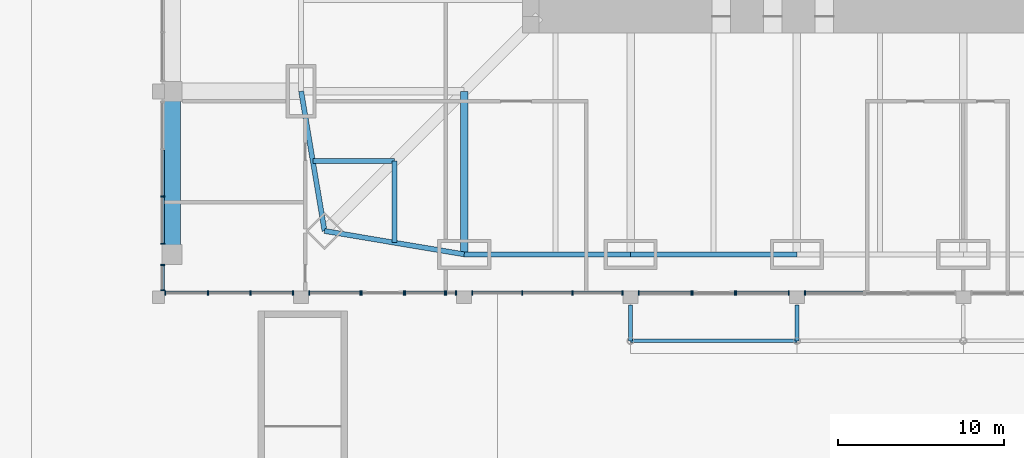
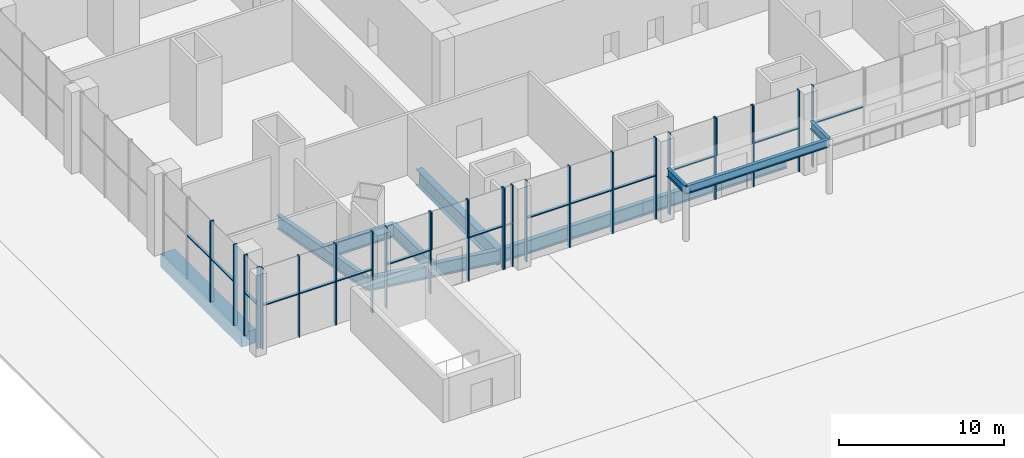
# One storey, part 6 of 31: 41 members, 11 beams, 12 elements without a shape of their own.
"""IFC4 building model written with IfcOpenShell, lengths in metres."""

from ifc_helpers import new_model, si_unit, direction, frame, origin, origin_2d, place, context, subcontext, project, spatial, rectangle, i_section, extrude, material, material_profile, profile_set, type_object, element, aggregate, save


model = new_model("IFC4")

# Units and contexts
model_context = context("Model", 3, precision=1e-05, world=origin(), true_north=direction((0.0, 1.0)))
body_context = subcontext(model_context, "Body", "Model", "MODEL_VIEW")
ifc_project = project(units=[si_unit("LENGTHUNIT", "METRE"), si_unit("AREAUNIT", "SQUARE_METRE"), si_unit("VOLUMEUNIT", "CUBIC_METRE"), si_unit("PLANEANGLEUNIT", "RADIAN"), si_unit("MASSUNIT", "GRAM", prefix="KILO")], contexts=[model_context])

# Site, building, storey
site_placement = place(None, origin())
site = spatial("IfcSite", under=ifc_project, at=site_placement, CompositionType="ELEMENT")
building_placement = place(site_placement, origin())
building = spatial("IfcBuilding", under=site, at=building_placement, Name="Khuree Lantern Residences", CompositionType="ELEMENT")
storey_placement = place(building_placement, origin())
storey = spatial("IfcBuildingStorey", under=building, at=storey_placement, Name="L00", CompositionType="ELEMENT", Elevation=0.0)

# Beams
ifc_material_1 = material(Name="Steel S355", Category="steel")
ifc_material_profile_1 = material_profile(ifc_material_1, i_section(OverallWidth=0.300048828125, OverallDepth=1.0, WebThickness=0.01904296875, FlangeThickness=0.035888671875, FilletRadius=0.030029296875, at=origin_2d()), Name="HE 1000 B")
ifc_profile_set_1 = profile_set([ifc_material_profile_1], Name="Steel S355")
beam_type_1 = type_object("IfcBeamType", Name="B-00 SECONDARY BEAM HE 1000 B", PredefinedType="BEAM", material=ifc_profile_set_1)
for number, where, z_axis, x_axis, name in (
    (1, (-24.197021484375, -29.09716796875, -0.800048828125), (0.0, 1.0, 0.0), (-1.0, 0.0, 0.0), "Secondary beam S6"),
    (2, (-29.09716796875, -24.197021484375, -0.800048828125), (1.0, 0.0, 0.0), (0.0, 1.0, 0.0), "Secondary beam W1"),
):
    element("IfcBeam", number, at=place(storey_placement, frame(where, z_axis=z_axis, x_axis=x_axis)), inside=storey, type_object=beam_type_1, Name=name, PredefinedType="BEAM", context=body_context, shape_type="SweptSolid", body=[
        extrude(i_section(OverallWidth=0.300048828125, OverallDepth=1.0, WebThickness=0.01904296875, FlangeThickness=0.035888671875, FilletRadius=0.030029296875, at=origin_2d()), origin(), (0.0, 0.0, 1.0), 4.900146484375),
    ])
ifc_material_profile_2 = material_profile(ifc_material_1, i_section(OverallWidth=0.219970703125, OverallDepth=0.60009765625, WebThickness=0.011962890625, FlangeThickness=0.01904296875, FilletRadius=0.02392578125, at=origin_2d()), Name="IPE 600")
ifc_profile_set_2 = profile_set([ifc_material_profile_2], Name="Steel S355")
beam_type_2 = type_object("IfcBeamType", Name="CB1 CANOPY BEAM IPE 600", PredefinedType="BEAM", material=ifc_profile_set_2)
for number, where, z_axis, x_axis, name in (
    (3, (-10.0, -35.0, 3.699951171875), (0.0, 1.0, 0.0), (-1.0, 0.0, 0.0), "SOUTH FACE CANOPY ARM 1"),
    (4, (0.0, -35.0, 3.699951171875), (0.0, 1.0, 0.0), (-1.0, 0.0, 0.0), "SOUTH FACE CANOPY ARM 2"),
):
    element("IfcBeam", number, at=place(storey_placement, frame(where, z_axis=z_axis, x_axis=x_axis)), inside=storey, type_object=beam_type_2, Name=name, PredefinedType="BEAM", context=body_context, shape_type="SweptSolid", body=[
        extrude(i_section(OverallWidth=0.219970703125, OverallDepth=0.60009765625, WebThickness=0.011962890625, FlangeThickness=0.01904296875, FilletRadius=0.02392578125, at=origin_2d()), origin(), (0.0, 0.0, 1.0), 2.14990234375),
    ])
beam_1_placement = place(storey_placement, frame((-10.0, -35.0, 3.699951171875), z_axis=(1.0, 0.0, 0.0), x_axis=(0.0, 1.0, 0.0)))
element("IfcBeam", 5, at=beam_1_placement, inside=storey, type_object=beam_type_2, Name="SOUTH FACE BAY 4 CANOPY FRONT BEAM", PredefinedType="BEAM", context=body_context, shape_type="SweptSolid", body=[
    extrude(i_section(OverallWidth=0.219970703125, OverallDepth=0.60009765625, WebThickness=0.011962890625, FlangeThickness=0.01904296875, FilletRadius=0.02392578125, at=origin_2d()), origin(), (0.0, 0.0, 1.0), 10.0),
])
ifc_material_profile_3 = material_profile(ifc_material_1, i_section(OverallWidth=0.300048828125, OverallDepth=1.0, WebThickness=0.01904296875, FlangeThickness=0.035888671875, FilletRadius=0.030029296875, at=origin_2d()), Name="HE 1000 B")
ifc_profile_set_3 = profile_set([ifc_material_profile_3], Name="Steel S355")
beam_type_3 = type_object("IfcBeamType", Name="E-00 SPANDREL BEAM HE 1000 B", PredefinedType="SPANDREL", material=ifc_profile_set_3)
for number, where, z_axis, x_axis, name in (
    (6, (0.0, -29.800048828125, -0.800048828125), (-1.0, 0.0, 0.0), (0.0, -1.0, 0.0), "Spandrel beam S4"),
    (7, (-10.0, -29.800048828125, -0.800048828125), (-1.0, 0.0, 0.0), (0.0, -1.0, 0.0), "Spandrel beam S5"),
):
    element("IfcBeam", number, at=place(storey_placement, frame(where, z_axis=z_axis, x_axis=x_axis)), inside=storey, type_object=beam_type_3, Name=name, PredefinedType="SPANDREL", context=body_context, shape_type="SweptSolid", body=[
        extrude(i_section(OverallWidth=0.300048828125, OverallDepth=1.0, WebThickness=0.01904296875, FlangeThickness=0.035888671875, FilletRadius=0.030029296875, at=origin_2d()), origin(), (0.0, 0.0, 1.0), 10.0),
    ])
for number, where, z_axis, x_axis, name in (
    (8, (-20.0, -29.800048828125, -0.800048828125), (-0.986260251158, 0.165199022349, 0.0), (-0.165199022349, -0.986260251158, 0.0), "Spandrel beam S6"),
    (9, (-28.39404296875, -28.39404296875, -0.800048828125), (-0.165199022349, 0.986260251158, 0.0), (-0.986260251158, -0.165199022349, 0.0), "Spandrel beam W1"),
):
    element("IfcBeam", number, at=place(storey_placement, frame(where, z_axis=z_axis, x_axis=x_axis)), inside=storey, type_object=beam_type_3, Name=name, PredefinedType="SPANDREL", context=body_context, shape_type="SweptSolid", body=[
        extrude(i_section(OverallWidth=0.300048828125, OverallDepth=1.0, WebThickness=0.01904296875, FlangeThickness=0.035888671875, FilletRadius=0.030029296875, at=origin_2d()), origin(), (0.0, 0.0, 1.0), 8.510986328125),
    ])
ifc_material_profile_4 = material_profile(ifc_material_1, i_section(OverallWidth=0.449951171875, OverallDepth=1.199951171875, WebThickness=0.02490234375, FlangeThickness=0.044921875, at=origin_2d()), Name="WELDED I 1200X450X25X45")
ifc_profile_set_4 = profile_set([ifc_material_profile_4], Name="Steel S355")
beam_type_4 = type_object("IfcBeamType", Name="G-00 GIRDER WELDED I 1200X450X25X45", PredefinedType="BEAM", material=ifc_profile_set_4)
beam_2_placement = place(storey_placement, frame((-20.0, -29.800048828125, -0.89990234375), z_axis=(0.0, 1.0, 0.0), x_axis=(-1.0, 0.0, 0.0)))
element("IfcBeam", 10, at=beam_2_placement, inside=storey, type_object=beam_type_4, Name="Girder S5", PredefinedType="BEAM", context=body_context, shape_type="SweptSolid", body=[
    extrude(i_section(OverallWidth=0.449951171875, OverallDepth=1.199951171875, WebThickness=0.02490234375, FlangeThickness=0.044921875, at=origin_2d()), origin(), (0.0, 0.0, 1.0), 9.800048828125),
])

# Curtain wall, members
ifc_material_2 = material(Name="Bronze anodised aluminium", Category="aluminium")
curtain_wall_type = type_object("IfcCurtainWallType", Name="CW-P PODIUM STOREFRONT CURTAIN WALL", PredefinedType="USERDEFINED", material=ifc_material_2)
curtain_wall_1_placement = place(storey_placement, origin())
curtain_wall_1 = element("IfcCurtainWall", 11, at=curtain_wall_1_placement, inside=storey, type_object=curtain_wall_type, Name="L00 SOUTH FACE BAY 1 STOREFRONT", ObjectType="Storefront curtain wall", PredefinedType="USERDEFINED")
ifc_material_profile_5 = material_profile(ifc_material_2, rectangle(XDim=0.074951171875, YDim=0.25, at=origin_2d()), Name="M5 75X250")
ifc_profile_set_5 = profile_set([ifc_material_profile_5], Name="Bronze anodised aluminium")
member_type_1 = type_object("IfcMemberType", Name="MULLION M5 STOREFRONT 75X250", PredefinedType="MULLION", material=ifc_profile_set_5)
member_1_placement = place(storey_placement, frame((-37.96240234375, -32.125, 0.0), z_axis=(0.0, 0.0, 1.0), x_axis=(1.0, 0.0, 0.0)))
member_1 = element("IfcMember", 12, at=member_1_placement, type_object=member_type_1, Name="L00 SOUTH FACE BAY 1 MULLION 1", PredefinedType="MULLION", context=body_context, shape_type="SweptSolid", body=[
    extrude(rectangle(XDim=0.074951171875, YDim=0.25, at=origin_2d()), origin(), (0.0, 0.0, 1.0), 6.0),
])
member_2_placement = place(storey_placement, frame((-35.404052734375, -32.125, 0.0), z_axis=(0.0, 0.0, 1.0), x_axis=(1.0, 0.0, 0.0)))
member_2 = element("IfcMember", 13, at=member_2_placement, type_object=member_type_1, Name="L00 SOUTH FACE BAY 1 MULLION 2", PredefinedType="MULLION", context=body_context, shape_type="SweptSolid", body=[
    extrude(rectangle(XDim=0.074951171875, YDim=0.25, at=origin_2d()), origin(), (0.0, 0.0, 1.0), 6.0),
])
member_3_placement = place(storey_placement, frame((-32.845947265625, -32.125, 0.0), z_axis=(0.0, 0.0, 1.0), x_axis=(1.0, 0.0, 0.0)))
member_3 = element("IfcMember", 14, at=member_3_placement, type_object=member_type_1, Name="L00 SOUTH FACE BAY 1 MULLION 3", PredefinedType="MULLION", context=body_context, shape_type="SweptSolid", body=[
    extrude(rectangle(XDim=0.074951171875, YDim=0.25, at=origin_2d()), origin(), (0.0, 0.0, 1.0), 6.0),
])
member_4_placement = place(storey_placement, frame((-30.28759765625, -32.125, 0.0), z_axis=(0.0, 0.0, 1.0), x_axis=(1.0, 0.0, 0.0)))
member_4 = element("IfcMember", 15, at=member_4_placement, type_object=member_type_1, Name="L00 SOUTH FACE BAY 1 MULLION 4", PredefinedType="MULLION", context=body_context, shape_type="SweptSolid", body=[
    extrude(rectangle(XDim=0.074951171875, YDim=0.25, at=origin_2d()), origin(), (0.0, 0.0, 1.0), 6.0),
])

curtain_wall_2_placement = place(storey_placement, origin())
curtain_wall_2 = element("IfcCurtainWall", 16, at=curtain_wall_2_placement, inside=storey, type_object=curtain_wall_type, Name="L00 SOUTH FACE BAY 2 LEFT STOREFRONT", ObjectType="Storefront curtain wall", PredefinedType="USERDEFINED")
member_5_placement = place(storey_placement, frame((-29.3125, -32.125, 0.0), z_axis=(0.0, 0.0, 1.0), x_axis=(1.0, 0.0, 0.0)))
member_5 = element("IfcMember", 17, at=member_5_placement, type_object=member_type_1, Name="L00 SOUTH FACE BAY 2 LEFT MULLION 1", PredefinedType="MULLION", context=body_context, shape_type="SweptSolid", body=[
    extrude(rectangle(XDim=0.074951171875, YDim=0.25, at=origin_2d()), origin(), (0.0, 0.0, 1.0), 6.0),
])
member_6_placement = place(storey_placement, frame((-26.237548828125, -32.125, 0.0), z_axis=(0.0, 0.0, 1.0), x_axis=(1.0, 0.0, 0.0)))
member_6 = element("IfcMember", 18, at=member_6_placement, type_object=member_type_1, Name="L00 SOUTH FACE BAY 2 LEFT MULLION 2", PredefinedType="MULLION", context=body_context, shape_type="SweptSolid", body=[
    extrude(rectangle(XDim=0.074951171875, YDim=0.25, at=origin_2d()), origin(), (0.0, 0.0, 1.0), 6.0),
])

curtain_wall_3_placement = place(storey_placement, origin())
curtain_wall_3 = element("IfcCurtainWall", 19, at=curtain_wall_3_placement, inside=storey, type_object=curtain_wall_type, Name="L00 SOUTH FACE BAY 2 RIGHT 1 STOREFRONT", ObjectType="Storefront curtain wall", PredefinedType="USERDEFINED")
member_7_placement = place(storey_placement, frame((-23.5625, -32.125, 0.0), z_axis=(0.0, 0.0, 1.0), x_axis=(1.0, 0.0, 0.0)))
member_7 = element("IfcMember", 20, at=member_7_placement, type_object=member_type_1, Name="L00 SOUTH FACE BAY 2 RIGHT 1 MULLION 1", PredefinedType="MULLION", context=body_context, shape_type="SweptSolid", body=[
    extrude(rectangle(XDim=0.074951171875, YDim=0.25, at=origin_2d()), origin(), (0.0, 0.0, 1.0), 6.0),
])
member_8_placement = place(storey_placement, frame((-21.148681640625, -32.125, 0.0), z_axis=(0.0, 0.0, 1.0), x_axis=(1.0, 0.0, 0.0)))
member_8 = element("IfcMember", 21, at=member_8_placement, type_object=member_type_1, Name="L00 SOUTH FACE BAY 2 RIGHT 1 MULLION 2", PredefinedType="MULLION", context=body_context, shape_type="SweptSolid", body=[
    extrude(rectangle(XDim=0.074951171875, YDim=0.25, at=origin_2d()), origin(), (0.0, 0.0, 1.0), 6.0),
])

curtain_wall_4_placement = place(storey_placement, origin())
curtain_wall_4 = element("IfcCurtainWall", 22, at=curtain_wall_4_placement, inside=storey, type_object=curtain_wall_type, Name="L00 SOUTH FACE BAY 2 RIGHT 2 STOREFRONT", ObjectType="Storefront curtain wall", PredefinedType="USERDEFINED")
member_9_placement = place(storey_placement, frame((-21.07373046875, -32.125, 0.0), z_axis=(0.0, 0.0, 1.0), x_axis=(1.0, 0.0, 0.0)))
member_9 = element("IfcMember", 23, at=member_9_placement, type_object=member_type_1, Name="L00 SOUTH FACE BAY 2 RIGHT 2 MULLION 1", PredefinedType="MULLION", context=body_context, shape_type="SweptSolid", body=[
    extrude(rectangle(XDim=0.074951171875, YDim=0.25, at=origin_2d()), origin(), (0.0, 0.0, 1.0), 6.0),
])
member_10_placement = place(storey_placement, frame((-20.487548828125, -32.125, 0.0), z_axis=(0.0, 0.0, 1.0), x_axis=(1.0, 0.0, 0.0)))
member_10 = element("IfcMember", 24, at=member_10_placement, type_object=member_type_1, Name="L00 SOUTH FACE BAY 2 RIGHT 2 MULLION 2", PredefinedType="MULLION", context=body_context, shape_type="SweptSolid", body=[
    extrude(rectangle(XDim=0.074951171875, YDim=0.25, at=origin_2d()), origin(), (0.0, 0.0, 1.0), 6.0),
])
aggregate(curtain_wall_4, [member_9, member_10])

curtain_wall_5_placement = place(storey_placement, origin())
curtain_wall_5 = element("IfcCurtainWall", 25, at=curtain_wall_5_placement, inside=storey, type_object=curtain_wall_type, Name="L00 SOUTH FACE BAY 2 CLERESTORY STOREFRONT", ObjectType="Storefront curtain wall", PredefinedType="USERDEFINED")
member_11_placement = place(storey_placement, frame((-26.16259765625, -32.125, 3.199951171875), z_axis=(0.0, 0.0, 1.0), x_axis=(1.0, 0.0, 0.0)))
member_11 = element("IfcMember", 26, at=member_11_placement, type_object=member_type_1, Name="L00 SOUTH FACE BAY 2 CLERESTORY MULLION 1", PredefinedType="MULLION", context=body_context, shape_type="SweptSolid", body=[
    extrude(rectangle(XDim=0.074951171875, YDim=0.25, at=origin_2d()), origin(), (0.0, 0.0, 1.0), 2.800048828125),
])
member_12_placement = place(storey_placement, frame((-23.637451171875, -32.125, 3.199951171875), z_axis=(0.0, 0.0, 1.0), x_axis=(1.0, 0.0, 0.0)))
member_12 = element("IfcMember", 27, at=member_12_placement, type_object=member_type_1, Name="L00 SOUTH FACE BAY 2 CLERESTORY MULLION 2", PredefinedType="MULLION", context=body_context, shape_type="SweptSolid", body=[
    extrude(rectangle(XDim=0.074951171875, YDim=0.25, at=origin_2d()), origin(), (0.0, 0.0, 1.0), 2.800048828125),
])
aggregate(curtain_wall_5, [member_11, member_12])

curtain_wall_6_placement = place(storey_placement, origin())
curtain_wall_6 = element("IfcCurtainWall", 28, at=curtain_wall_6_placement, inside=storey, type_object=curtain_wall_type, Name="L00 SOUTH FACE BAY 3 STOREFRONT", ObjectType="Storefront curtain wall", PredefinedType="USERDEFINED")
member_13_placement = place(storey_placement, frame((-19.512451171875, -32.125, 0.0), z_axis=(0.0, 0.0, 1.0), x_axis=(1.0, 0.0, 0.0)))
member_13 = element("IfcMember", 29, at=member_13_placement, type_object=member_type_1, Name="L00 SOUTH FACE BAY 3 MULLION 1", PredefinedType="MULLION", context=body_context, shape_type="SweptSolid", body=[
    extrude(rectangle(XDim=0.074951171875, YDim=0.25, at=origin_2d()), origin(), (0.0, 0.0, 1.0), 6.0),
])
member_14_placement = place(storey_placement, frame((-16.504150390625, -32.125, 0.0), z_axis=(0.0, 0.0, 1.0), x_axis=(1.0, 0.0, 0.0)))
member_14 = element("IfcMember", 30, at=member_14_placement, type_object=member_type_1, Name="L00 SOUTH FACE BAY 3 MULLION 2", PredefinedType="MULLION", context=body_context, shape_type="SweptSolid", body=[
    extrude(rectangle(XDim=0.074951171875, YDim=0.25, at=origin_2d()), origin(), (0.0, 0.0, 1.0), 6.0),
])
member_15_placement = place(storey_placement, frame((-13.495849609375, -32.125, 0.0), z_axis=(0.0, 0.0, 1.0), x_axis=(1.0, 0.0, 0.0)))
member_15 = element("IfcMember", 31, at=member_15_placement, type_object=member_type_1, Name="L00 SOUTH FACE BAY 3 MULLION 3", PredefinedType="MULLION", context=body_context, shape_type="SweptSolid", body=[
    extrude(rectangle(XDim=0.074951171875, YDim=0.25, at=origin_2d()), origin(), (0.0, 0.0, 1.0), 6.0),
])
member_16_placement = place(storey_placement, frame((-10.487548828125, -32.125, 0.0), z_axis=(0.0, 0.0, 1.0), x_axis=(1.0, 0.0, 0.0)))
member_16 = element("IfcMember", 32, at=member_16_placement, type_object=member_type_1, Name="L00 SOUTH FACE BAY 3 MULLION 4", PredefinedType="MULLION", context=body_context, shape_type="SweptSolid", body=[
    extrude(rectangle(XDim=0.074951171875, YDim=0.25, at=origin_2d()), origin(), (0.0, 0.0, 1.0), 6.0),
])

curtain_wall_7_placement = place(storey_placement, origin())
curtain_wall_7 = element("IfcCurtainWall", 33, at=curtain_wall_7_placement, inside=storey, type_object=curtain_wall_type, Name="L00 SOUTH FACE BAY 4 LEFT STOREFRONT", ObjectType="Storefront curtain wall", PredefinedType="USERDEFINED")
member_17_placement = place(storey_placement, frame((-9.512451171875, -32.125, 0.0), z_axis=(0.0, 0.0, 1.0), x_axis=(1.0, 0.0, 0.0)))
member_17 = element("IfcMember", 34, at=member_17_placement, type_object=member_type_1, Name="L00 SOUTH FACE BAY 4 LEFT MULLION 1", PredefinedType="MULLION", context=body_context, shape_type="SweptSolid", body=[
    extrude(rectangle(XDim=0.074951171875, YDim=0.25, at=origin_2d()), origin(), (0.0, 0.0, 1.0), 6.0),
])
member_18_placement = place(storey_placement, frame((-6.33740234375, -32.125, 0.0), z_axis=(0.0, 0.0, 1.0), x_axis=(1.0, 0.0, 0.0)))
member_18 = element("IfcMember", 35, at=member_18_placement, type_object=member_type_1, Name="L00 SOUTH FACE BAY 4 LEFT MULLION 2", PredefinedType="MULLION", context=body_context, shape_type="SweptSolid", body=[
    extrude(rectangle(XDim=0.074951171875, YDim=0.25, at=origin_2d()), origin(), (0.0, 0.0, 1.0), 6.0),
])

curtain_wall_8_placement = place(storey_placement, origin())
curtain_wall_8 = element("IfcCurtainWall", 36, at=curtain_wall_8_placement, inside=storey, type_object=curtain_wall_type, Name="L00 SOUTH FACE BAY 4 RIGHT STOREFRONT", ObjectType="Storefront curtain wall", PredefinedType="USERDEFINED")
member_19_placement = place(storey_placement, frame((-3.66259765625, -32.125, 0.0), z_axis=(0.0, 0.0, 1.0), x_axis=(1.0, 0.0, 0.0)))
member_19 = element("IfcMember", 37, at=member_19_placement, type_object=member_type_1, Name="L00 SOUTH FACE BAY 4 RIGHT MULLION 1", PredefinedType="MULLION", context=body_context, shape_type="SweptSolid", body=[
    extrude(rectangle(XDim=0.074951171875, YDim=0.25, at=origin_2d()), origin(), (0.0, 0.0, 1.0), 6.0),
])
member_20_placement = place(storey_placement, frame((-0.487548828125, -32.125, 0.0), z_axis=(0.0, 0.0, 1.0), x_axis=(1.0, 0.0, 0.0)))
member_20 = element("IfcMember", 38, at=member_20_placement, type_object=member_type_1, Name="L00 SOUTH FACE BAY 4 RIGHT MULLION 2", PredefinedType="MULLION", context=body_context, shape_type="SweptSolid", body=[
    extrude(rectangle(XDim=0.074951171875, YDim=0.25, at=origin_2d()), origin(), (0.0, 0.0, 1.0), 6.0),
])

curtain_wall_9_placement = place(storey_placement, origin())
curtain_wall_9 = element("IfcCurtainWall", 39, at=curtain_wall_9_placement, inside=storey, type_object=curtain_wall_type, Name="L00 SOUTH FACE BAY 4 CLERESTORY STOREFRONT", ObjectType="Storefront curtain wall", PredefinedType="USERDEFINED")
member_21_placement = place(storey_placement, frame((-6.262451171875, -32.125, 3.199951171875), z_axis=(0.0, 0.0, 1.0), x_axis=(1.0, 0.0, 0.0)))
member_21 = element("IfcMember", 40, at=member_21_placement, type_object=member_type_1, Name="L00 SOUTH FACE BAY 4 CLERESTORY MULLION 1", PredefinedType="MULLION", context=body_context, shape_type="SweptSolid", body=[
    extrude(rectangle(XDim=0.074951171875, YDim=0.25, at=origin_2d()), origin(), (0.0, 0.0, 1.0), 2.800048828125),
])
member_22_placement = place(storey_placement, frame((-3.737548828125, -32.125, 3.199951171875), z_axis=(0.0, 0.0, 1.0), x_axis=(1.0, 0.0, 0.0)))
member_22 = element("IfcMember", 41, at=member_22_placement, type_object=member_type_1, Name="L00 SOUTH FACE BAY 4 CLERESTORY MULLION 2", PredefinedType="MULLION", context=body_context, shape_type="SweptSolid", body=[
    extrude(rectangle(XDim=0.074951171875, YDim=0.25, at=origin_2d()), origin(), (0.0, 0.0, 1.0), 2.800048828125),
])
aggregate(curtain_wall_9, [member_21, member_22])

# Curtain wall, member
curtain_wall_10_placement = place(storey_placement, origin())
curtain_wall_10 = element("IfcCurtainWall", 42, at=curtain_wall_10_placement, inside=storey, type_object=curtain_wall_type, Name="L00 SOUTH FACE BAY 5 LEFT STOREFRONT", ObjectType="Storefront curtain wall", PredefinedType="USERDEFINED")
member_23_placement = place(storey_placement, frame((0.487548828125, -32.125, 0.0), z_axis=(0.0, 0.0, 1.0), x_axis=(1.0, 0.0, 0.0)))
member_23 = element("IfcMember", 43, at=member_23_placement, type_object=member_type_1, Name="L00 SOUTH FACE BAY 5 LEFT MULLION 1", PredefinedType="MULLION", context=body_context, shape_type="SweptSolid", body=[
    extrude(rectangle(XDim=0.074951171875, YDim=0.25, at=origin_2d()), origin(), (0.0, 0.0, 1.0), 6.0),
])

# Curtain wall, members
curtain_wall_11_placement = place(storey_placement, origin())
curtain_wall_11 = element("IfcCurtainWall", 44, at=curtain_wall_11_placement, inside=storey, type_object=curtain_wall_type, Name="L00 WEST FACE BAY 8 STOREFRONT", ObjectType="Storefront curtain wall", PredefinedType="USERDEFINED")
member_24_placement = place(storey_placement, frame((-38.125, -26.32080078125, 0.0), z_axis=(0.0, 0.0, 1.0), x_axis=(0.0, -1.0, 0.0)))
member_24 = element("IfcMember", 45, at=member_24_placement, type_object=member_type_1, Name="L00 WEST FACE BAY 8 MULLION 3", PredefinedType="MULLION", context=body_context, shape_type="SweptSolid", body=[
    extrude(rectangle(XDim=0.074951171875, YDim=0.25, at=origin_2d()), origin(), (0.0, 0.0, 1.0), 6.0),
])
member_25_placement = place(storey_placement, frame((-38.125, -29.16259765625, 0.0), z_axis=(0.0, 0.0, 1.0), x_axis=(0.0, -1.0, 0.0)))
member_25 = element("IfcMember", 46, at=member_25_placement, type_object=member_type_1, Name="L00 WEST FACE BAY 8 MULLION 4", PredefinedType="MULLION", context=body_context, shape_type="SweptSolid", body=[
    extrude(rectangle(XDim=0.074951171875, YDim=0.25, at=origin_2d()), origin(), (0.0, 0.0, 1.0), 6.0),
])

curtain_wall_12_placement = place(storey_placement, origin())
curtain_wall_12 = element("IfcCurtainWall", 47, at=curtain_wall_12_placement, inside=storey, type_object=curtain_wall_type, Name="L00 WEST FACE BAY 8B STOREFRONT", ObjectType="Storefront curtain wall", PredefinedType="USERDEFINED")
member_26_placement = place(storey_placement, frame((-38.125, -30.4375, 0.0), z_axis=(0.0, 0.0, 1.0), x_axis=(0.0, -1.0, 0.0)))
member_26 = element("IfcMember", 48, at=member_26_placement, type_object=member_type_1, Name="L00 WEST FACE BAY 8B MULLION 1", PredefinedType="MULLION", context=body_context, shape_type="SweptSolid", body=[
    extrude(rectangle(XDim=0.074951171875, YDim=0.25, at=origin_2d()), origin(), (0.0, 0.0, 1.0), 6.0),
])
member_27_placement = place(storey_placement, frame((-38.125, -31.96240234375, 0.0), z_axis=(0.0, 0.0, 1.0), x_axis=(0.0, -1.0, 0.0)))
member_27 = element("IfcMember", 49, at=member_27_placement, type_object=member_type_1, Name="L00 WEST FACE BAY 8B MULLION 2", PredefinedType="MULLION", context=body_context, shape_type="SweptSolid", body=[
    extrude(rectangle(XDim=0.074951171875, YDim=0.25, at=origin_2d()), origin(), (0.0, 0.0, 1.0), 6.0),
])

# Beam
ifc_material_3 = material(Name="Concrete C40/50", Category="concrete")
ifc_material_profile_6 = material_profile(ifc_material_3, rectangle(XDim=1.0, YDim=1.0, at=origin_2d()), Name="RC 1000X1000")
ifc_profile_set_6 = profile_set([ifc_material_profile_6], Name="Concrete C40/50")
beam_type_5 = type_object("IfcBeamType", Name="RB3 PODIUM BEAM RC 1000X1000", PredefinedType="BEAM", material=ifc_profile_set_6)
beam_3_placement = place(storey_placement, frame((-37.550048828125, -29.800048828125, -0.800048828125), z_axis=(0.0, 1.0, 0.0), x_axis=(-1.0, 0.0, 0.0)))
element("IfcBeam", 50, at=beam_3_placement, inside=storey, type_object=beam_type_5, Name="Podium beam RB-56", PredefinedType="BEAM", context=body_context, shape_type="SweptSolid", body=[
    extrude(rectangle(XDim=1.0, YDim=1.0, at=origin_2d()), origin(), (0.0, 0.0, 1.0), 9.800048828125),
])

# Member
ifc_material_profile_7 = material_profile(ifc_material_2, rectangle(XDim=0.199951171875, YDim=0.074951171875, at=origin_2d()), Name="T5 200X75")
ifc_profile_set_7 = profile_set([ifc_material_profile_7], Name="Bronze anodised aluminium")
member_type_2 = type_object("IfcMemberType", Name="TRANSOM T5 STOREFRONT 200X75", PredefinedType="USERDEFINED", material=ifc_profile_set_7)
member_28_placement = place(storey_placement, frame((-37.925048828125, -32.1201171875, 3.199951171875), z_axis=(1.0, 0.0, 0.0), x_axis=(0.0, 1.0, 0.0)))
member_28 = element("IfcMember", 51, at=member_28_placement, type_object=member_type_2, Name="L00 SOUTH FACE BAY 1 TRANSOM 1", ObjectType="Transom", PredefinedType="USERDEFINED", context=body_context, shape_type="SweptSolid", body=[
    extrude(rectangle(XDim=0.199951171875, YDim=0.074951171875, at=origin_2d()), origin(), (0.0, 0.0, 1.0), 2.4833984375),
])

member_29_placement = place(storey_placement, frame((-35.36669921875, -32.1201171875, 3.199951171875), z_axis=(1.0, 0.0, 0.0), x_axis=(0.0, 1.0, 0.0)))
member_29 = element("IfcMember", 52, at=member_29_placement, type_object=member_type_2, Name="L00 SOUTH FACE BAY 1 TRANSOM 2", ObjectType="Transom", PredefinedType="USERDEFINED", context=body_context, shape_type="SweptSolid", body=[
    extrude(rectangle(XDim=0.199951171875, YDim=0.074951171875, at=origin_2d()), origin(), (0.0, 0.0, 1.0), 2.4833984375),
])

member_30_placement = place(storey_placement, frame((-32.808349609375, -32.1201171875, 3.199951171875), z_axis=(1.0, 0.0, 0.0), x_axis=(0.0, 1.0, 0.0)))
member_30 = element("IfcMember", 53, at=member_30_placement, type_object=member_type_2, Name="L00 SOUTH FACE BAY 1 TRANSOM 3", ObjectType="Transom", PredefinedType="USERDEFINED", context=body_context, shape_type="SweptSolid", body=[
    extrude(rectangle(XDim=0.199951171875, YDim=0.074951171875, at=origin_2d()), origin(), (0.0, 0.0, 1.0), 2.4833984375),
])

aggregate(curtain_wall_1, [member_1, member_2, member_3, member_4, member_28, member_29, member_30])

member_31_placement = place(storey_placement, frame((-29.27490234375, -32.1201171875, 3.199951171875), z_axis=(1.0, 0.0, 0.0), x_axis=(0.0, 1.0, 0.0)))
member_31 = element("IfcMember", 54, at=member_31_placement, type_object=member_type_2, Name="L00 SOUTH FACE BAY 2 LEFT TRANSOM 1", ObjectType="Transom", PredefinedType="USERDEFINED", context=body_context, shape_type="SweptSolid", body=[
    extrude(rectangle(XDim=0.199951171875, YDim=0.074951171875, at=origin_2d()), origin(), (0.0, 0.0, 1.0), 3.0),
])

aggregate(curtain_wall_2, [member_5, member_6, member_31])

member_32_placement = place(storey_placement, frame((-23.52490234375, -32.1201171875, 3.199951171875), z_axis=(1.0, 0.0, 0.0), x_axis=(0.0, 1.0, 0.0)))
member_32 = element("IfcMember", 55, at=member_32_placement, type_object=member_type_2, Name="L00 SOUTH FACE BAY 2 RIGHT 1 TRANSOM 1", ObjectType="Transom", PredefinedType="USERDEFINED", context=body_context, shape_type="SweptSolid", body=[
    extrude(rectangle(XDim=0.199951171875, YDim=0.074951171875, at=origin_2d()), origin(), (0.0, 0.0, 1.0), 2.3388671875),
])

aggregate(curtain_wall_3, [member_7, member_8, member_32])

member_33_placement = place(storey_placement, frame((-19.47509765625, -32.1201171875, 3.199951171875), z_axis=(1.0, 0.0, 0.0), x_axis=(0.0, 1.0, 0.0)))
member_33 = element("IfcMember", 56, at=member_33_placement, type_object=member_type_2, Name="L00 SOUTH FACE BAY 3 TRANSOM 1", ObjectType="Transom", PredefinedType="USERDEFINED", context=body_context, shape_type="SweptSolid", body=[
    extrude(rectangle(XDim=0.199951171875, YDim=0.074951171875, at=origin_2d()), origin(), (0.0, 0.0, 1.0), 2.933349609375),
])

member_34_placement = place(storey_placement, frame((-16.466552734375, -32.1201171875, 3.199951171875), z_axis=(1.0, 0.0, 0.0), x_axis=(0.0, 1.0, 0.0)))
member_34 = element("IfcMember", 57, at=member_34_placement, type_object=member_type_2, Name="L00 SOUTH FACE BAY 3 TRANSOM 2", ObjectType="Transom", PredefinedType="USERDEFINED", context=body_context, shape_type="SweptSolid", body=[
    extrude(rectangle(XDim=0.199951171875, YDim=0.074951171875, at=origin_2d()), origin(), (0.0, 0.0, 1.0), 2.93310546875),
])

member_35_placement = place(storey_placement, frame((-13.458251953125, -32.1201171875, 3.199951171875), z_axis=(1.0, 0.0, 0.0), x_axis=(0.0, 1.0, 0.0)))
member_35 = element("IfcMember", 58, at=member_35_placement, type_object=member_type_2, Name="L00 SOUTH FACE BAY 3 TRANSOM 3", ObjectType="Transom", PredefinedType="USERDEFINED", context=body_context, shape_type="SweptSolid", body=[
    extrude(rectangle(XDim=0.199951171875, YDim=0.074951171875, at=origin_2d()), origin(), (0.0, 0.0, 1.0), 2.933349609375),
])

aggregate(curtain_wall_6, [member_13, member_14, member_15, member_16, member_33, member_34, member_35])

member_36_placement = place(storey_placement, frame((-9.47509765625, -32.1201171875, 3.199951171875), z_axis=(1.0, 0.0, 0.0), x_axis=(0.0, 1.0, 0.0)))
member_36 = element("IfcMember", 59, at=member_36_placement, type_object=member_type_2, Name="L00 SOUTH FACE BAY 4 LEFT TRANSOM 1", ObjectType="Transom", PredefinedType="USERDEFINED", context=body_context, shape_type="SweptSolid", body=[
    extrude(rectangle(XDim=0.199951171875, YDim=0.074951171875, at=origin_2d()), origin(), (0.0, 0.0, 1.0), 3.10009765625),
])

aggregate(curtain_wall_7, [member_17, member_18, member_36])

member_37_placement = place(storey_placement, frame((-3.625, -32.1201171875, 3.199951171875), z_axis=(1.0, 0.0, 0.0), x_axis=(0.0, 1.0, 0.0)))
member_37 = element("IfcMember", 60, at=member_37_placement, type_object=member_type_2, Name="L00 SOUTH FACE BAY 4 RIGHT TRANSOM 1", ObjectType="Transom", PredefinedType="USERDEFINED", context=body_context, shape_type="SweptSolid", body=[
    extrude(rectangle(XDim=0.199951171875, YDim=0.074951171875, at=origin_2d()), origin(), (0.0, 0.0, 1.0), 3.10009765625),
])

aggregate(curtain_wall_8, [member_19, member_20, member_37])

member_38_placement = place(storey_placement, frame((0.52490234375, -32.1201171875, 3.199951171875), z_axis=(1.0, 0.0, 0.0), x_axis=(0.0, 1.0, 0.0)))
member_38 = element("IfcMember", 61, at=member_38_placement, type_object=member_type_2, Name="L00 SOUTH FACE BAY 5 LEFT TRANSOM 1", ObjectType="Transom", PredefinedType="USERDEFINED", context=body_context, shape_type="SweptSolid", body=[
    extrude(rectangle(XDim=0.199951171875, YDim=0.074951171875, at=origin_2d()), origin(), (0.0, 0.0, 1.0), 3.47216796875),
])

aggregate(curtain_wall_10, [member_23, member_38])

member_39_placement = place(storey_placement, frame((-38.1201171875, -23.5166015625, 3.199951171875), z_axis=(0.0, -1.0, 0.0), x_axis=(1.0, 0.0, 0.0)))
member_39 = element("IfcMember", 62, at=member_39_placement, type_object=member_type_2, Name="L00 WEST FACE BAY 8 TRANSOM 2", ObjectType="Transom", PredefinedType="USERDEFINED", context=body_context, shape_type="SweptSolid", body=[
    extrude(rectangle(XDim=0.199951171875, YDim=0.074951171875, at=origin_2d()), origin(), (0.0, 0.0, 1.0), 2.766845703125),
])

member_40_placement = place(storey_placement, frame((-38.1201171875, -26.3583984375, 3.199951171875), z_axis=(0.0, -1.0, 0.0), x_axis=(1.0, 0.0, 0.0)))
member_40 = element("IfcMember", 63, at=member_40_placement, type_object=member_type_2, Name="L00 WEST FACE BAY 8 TRANSOM 3", ObjectType="Transom", PredefinedType="USERDEFINED", context=body_context, shape_type="SweptSolid", body=[
    extrude(rectangle(XDim=0.199951171875, YDim=0.074951171875, at=origin_2d()), origin(), (0.0, 0.0, 1.0), 2.7666015625),
])

aggregate(curtain_wall_11, [member_24, member_25, member_39, member_40])

member_41_placement = place(storey_placement, frame((-38.1201171875, -30.47509765625, 3.199951171875), z_axis=(0.0, -1.0, 0.0), x_axis=(1.0, 0.0, 0.0)))
member_41 = element("IfcMember", 64, at=member_41_placement, type_object=member_type_2, Name="L00 WEST FACE BAY 8B TRANSOM 1", ObjectType="Transom", PredefinedType="USERDEFINED", context=body_context, shape_type="SweptSolid", body=[
    extrude(rectangle(XDim=0.199951171875, YDim=0.074951171875, at=origin_2d()), origin(), (0.0, 0.0, 1.0), 1.449951171875),
])

aggregate(curtain_wall_12, [member_26, member_27, member_41])

save(model, "model.ifc")
